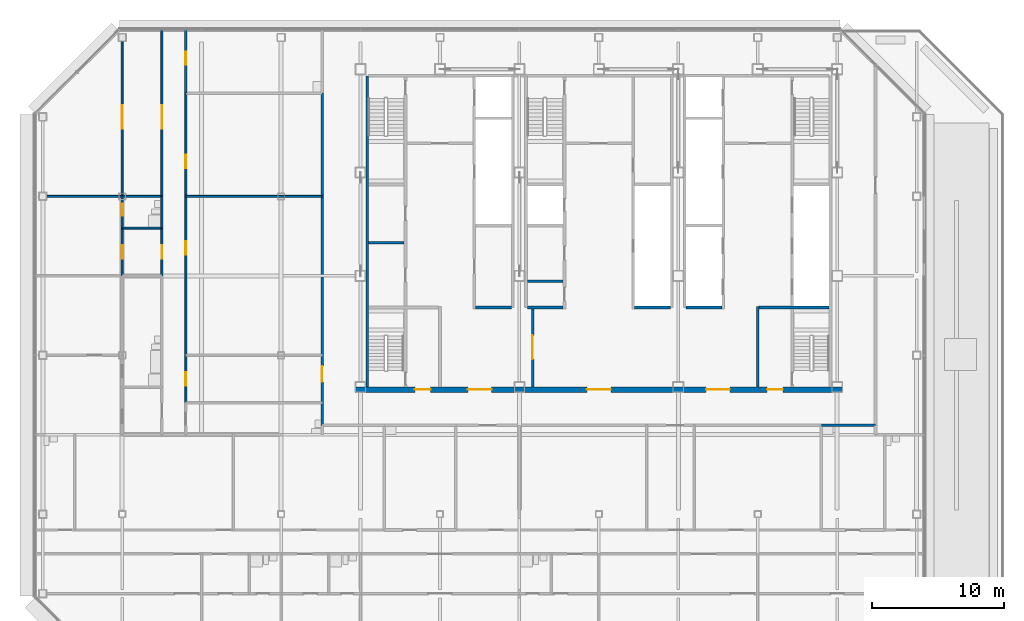
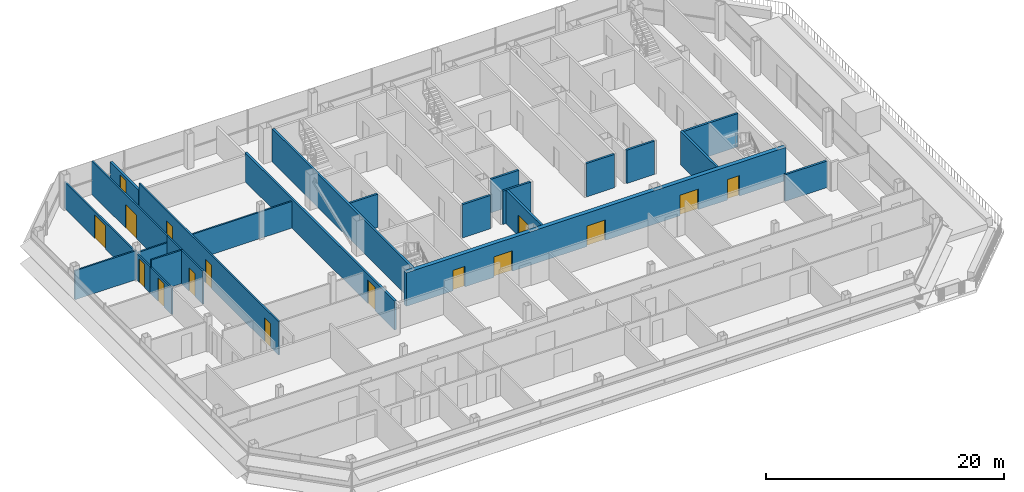
# One storey, part 20 of 28: 25 walls, 16 doors, 16 openings.
"""IFC4 building model written with IfcOpenShell, lengths in metres."""

from ifc_helpers import new_model, si_unit, direction, frame, frame_2d, origin, place, context, subcontext, project, spatial, rectangle, extrude, material, layer, layer_set, type_object, element, fill, save


model = new_model("IFC4")

# Units and contexts
model_context = context("Model", 3, precision=1e-05, world=origin(), true_north=direction((0.0, 1.0)))
body_context = subcontext(model_context, "Body", "Model", "MODEL_VIEW")
ifc_project = project(units=[si_unit("LENGTHUNIT", "METRE"), si_unit("AREAUNIT", "SQUARE_METRE"), si_unit("VOLUMEUNIT", "CUBIC_METRE"), si_unit("PLANEANGLEUNIT", "RADIAN"), si_unit("MASSUNIT", "GRAM", prefix="KILO")], contexts=[model_context])

# Site, building, storey
site_placement = place(None, origin())
site = spatial("IfcSite", under=ifc_project, at=site_placement, CompositionType="ELEMENT")
building_placement = place(site_placement, origin())
building = spatial("IfcBuilding", under=site, at=building_placement, Name="Sorahane Residences", CompositionType="ELEMENT")
storey_placement = place(building_placement, frame((0.0, 0.0, 290.800048828125)))
storey = spatial("IfcBuildingStorey", under=building, at=storey_placement, Name="L68", CompositionType="ELEMENT", Elevation=290.800048828125)

# Wall
ifc_material_1 = material(Name="Concrete C30", Category="concrete")
ifc_layer_1 = layer(ifc_material_1, 0.199951171875)
ifc_layer_set_1 = layer_set([ifc_layer_1], Name="Core face wall 200 EI 180")
wall_type_1 = type_object("IfcWallType", Name="Core face wall 200 EI 180", PredefinedType="SOLIDWALL", material=ifc_layer_set_1)
wall_1_placement = place(storey_placement, frame((6.5, 21.60009765625, 0.0), z_axis=(0.0, 0.0, 1.0), x_axis=(0.0, 1.0, 0.0)))
element("IfcWall", 1, at=wall_1_placement, inside=storey, type_object=wall_type_1, Name="L68 core face wall", PredefinedType="SOLIDWALL", context=body_context, shape_type="SweptSolid", body=[
    extrude(rectangle(XDim=23.5, YDim=0.199951171875, at=frame_2d((11.75, 0.0))), origin(), (0.0, 0.0, 1.0), 3.419921875),
])

# Wall, opening, door
ifc_material_2 = material(Name="Concrete blockwork C20 wall", Category="masonry")
ifc_layer_2 = layer(ifc_material_2, 0.199951171875)
ifc_layer_set_2 = layer_set([ifc_layer_2], Name="Corridor wall 200 EI 120")
wall_type_2 = type_object("IfcWallType", Name="Corridor wall 200 EI 120", PredefinedType="SOLIDWALL", material=ifc_layer_set_2)
wall_2_placement = place(storey_placement, frame((3.10009765625, 18.699951171875, 0.0), z_axis=(0.0, 0.0, 1.0), x_axis=(0.0, 1.0, 0.0)))
wall_2 = element("IfcWall", 2, at=wall_2_placement, inside=storey, type_object=wall_type_2, Name="L68 corridor wall", PredefinedType="SOLIDWALL", context=body_context, shape_type="SweptSolid", body=[
    extrude(rectangle(XDim=25.10009765625, YDim=0.199951171875, at=frame_2d((12.550048828125, 0.0))), origin(), (0.0, 0.0, 1.0), 2.969970703125),
])
opening_1_placement = place(wall_2_placement, frame((3.280029296875, 0.0, 0.0)))
opening_1 = element("IfcOpeningElement", 3, at=opening_1_placement, cuts=wall_2, Name="Opening L68-44", PredefinedType="OPENING", context=body_context, shape_type="SweptSolid", body=[
    extrude(rectangle(XDim=1.199951171875, YDim=2.39990234375, at=frame_2d((0.60009765625, 1.199951171875))), frame((0.0, 0.10986328125, 0.0), z_axis=(0.0, -1.0, 0.0), x_axis=(1.0, 0.0, 0.0)), (0.0, 0.0, 1.0), 0.219970703125),
])
ifc_material_3 = material(Name="Timber veneered fire door", Category="wood")
door_type_1 = type_object("IfcDoorType", Name="Flat entrance door 1200x2400 FD60", OperationType="NOTDEFINED", PredefinedType="DOOR", material=ifc_material_3)
door_1_placement = place(opening_1_placement, origin())
door_1 = element("IfcDoor", 4, at=door_1_placement, inside=storey, type_object=door_type_1, Name="Flat entrance door L68-44", OperationType="SINGLE_SWING_RIGHT", OverallHeight=2.39990234375, OverallWidth=1.199951171875, PredefinedType="DOOR", context=body_context, shape_type="SweptSolid", body=[
    extrude(rectangle(XDim=1.199951171875, YDim=2.39990234375, at=frame_2d((0.60009765625, 1.199951171875))), frame((0.0, 0.02490234375, 0.0), z_axis=(0.0, -1.0, 0.0), x_axis=(1.0, 0.0, 0.0)), (0.0, 0.0, 1.0), 0.050048828125),
])
fill(opening_1, door_1)

# Wall
ifc_material_4 = material(Name="Concrete C30", Category="concrete")
ifc_layer_3 = layer(ifc_material_4, 0.199951171875)
ifc_layer_set_3 = layer_set([ifc_layer_3], Name="Front room wall 200 EI 120")
wall_type_3 = type_object("IfcWallType", Name="Front room wall 200 EI 120", PredefinedType="PARTITIONING", material=ifc_layer_set_3)
wall_3_placement = place(storey_placement, frame((36.0, 21.60009765625, 0.0), z_axis=(0.0, 0.0, 1.0), x_axis=(0.0, 1.0, 0.0)))
element("IfcWall", 5, at=wall_3_placement, inside=storey, type_object=wall_type_3, Name="L68 front room wall", PredefinedType="PARTITIONING", context=body_context, shape_type="SweptSolid", body=[
    extrude(rectangle(XDim=6.099853515625, YDim=0.199951171875, at=frame_2d((3.0498046875, 0.0))), origin(), (0.0, 0.0, 1.0), 3.419921875),
])

# Wall, opening, door
ifc_material_5 = material(Name="Concrete blockwork C20 wall", Category="masonry")
ifc_layer_4 = layer(ifc_material_5, 0.199951171875)
ifc_layer_set_4 = layer_set([ifc_layer_4], Name="Kitchen wall 200 EI 180")
wall_type_4 = type_object("IfcWallType", Name="Kitchen wall 200 EI 180", PredefinedType="SOLIDWALL", material=ifc_layer_set_4)
wall_4_placement = place(storey_placement, frame((-7.199951171875, 43.800048828125, 0.0), z_axis=(0.0, 0.0, 1.0), x_axis=(0.0, 1.0, 0.0)))
wall_4 = element("IfcWall", 6, at=wall_4_placement, inside=storey, type_object=wall_type_4, Name="L68 kitchen wall", PredefinedType="SOLIDWALL", context=body_context, shape_type="SweptSolid", body=[
    extrude(rectangle(XDim=4.800048828125, YDim=0.199951171875, at=frame_2d((2.39990234375, 0.0))), origin(), (0.0, 0.0, 1.0), 2.719970703125),
])
opening_2_placement = place(wall_4_placement, frame((2.139892578125, 0.0, 0.0)))
opening_2 = element("IfcOpeningElement", 7, at=opening_2_placement, cuts=wall_4, Name="Opening L68-32", PredefinedType="OPENING", context=body_context, shape_type="SweptSolid", body=[
    extrude(rectangle(XDim=1.0, YDim=2.39990234375, at=frame_2d((0.5, 1.199951171875))), frame((0.0, 0.10986328125, 0.0), z_axis=(0.0, -1.0, 0.0), x_axis=(1.0, 0.0, 0.0)), (0.0, 0.0, 1.0), 0.219970703125),
])
ifc_material_6 = material(Name="Steel", Category="steel")
door_type_2 = type_object("IfcDoorType", Name="Kitchen door 1000x2400 FD120", OperationType="NOTDEFINED", PredefinedType="DOOR", material=ifc_material_6)
door_2_placement = place(opening_2_placement, frame((1.0, 0.0, 0.0), z_axis=(0.0, 0.0, 1.0), x_axis=(-1.0, 0.0, 0.0)))
door_2 = element("IfcDoor", 8, at=door_2_placement, inside=storey, type_object=door_type_2, Name="Kitchen door L68-32", OperationType="SINGLE_SWING_LEFT", OverallHeight=2.39990234375, OverallWidth=1.0, PredefinedType="DOOR", context=body_context, shape_type="SweptSolid", body=[
    extrude(rectangle(XDim=1.0, YDim=2.39990234375, at=frame_2d((0.5, 1.199951171875))), frame((0.0, 0.02490234375, 0.0), z_axis=(0.0, -1.0, 0.0), x_axis=(1.0, 0.0, 0.0)), (0.0, 0.0, 1.0), 0.050048828125),
])
fill(opening_2, door_2)

# Walls
wall_5_placement = place(storey_placement, frame((40.800048828125, 18.699951171875, 0.0), z_axis=(0.0, 0.0, 1.0), x_axis=(1.0, 0.0, 0.0)))
element("IfcWall", 9, at=wall_5_placement, inside=storey, type_object=wall_type_4, Name="L68 kitchen wall", PredefinedType="SOLIDWALL", context=body_context, shape_type="SweptSolid", body=[
    extrude(rectangle(XDim=4.099853515625, YDim=0.199951171875, at=frame_2d((2.0498046875, 0.0))), origin(), (0.0, 0.0, 1.0), 2.719970703125),
])
ifc_material_7 = material(Name="Concrete C30", Category="concrete")
ifc_layer_5 = layer(ifc_material_7, 0.199951171875)
ifc_layer_set_5 = layer_set([ifc_layer_5], Name="Lift shaft wall 200 EI 120")
wall_type_5 = type_object("IfcWallType", Name="Lift shaft wall 200 EI 120", PredefinedType="SOLIDWALL", material=ifc_layer_set_5)
wall_6_placement = place(storey_placement, frame((30.60009765625, 27.60009765625, 0.0), z_axis=(0.0, 0.0, 1.0), x_axis=(1.0, 0.0, 0.0)))
element("IfcWall", 10, at=wall_6_placement, inside=storey, type_object=wall_type_5, Name="L68 lift shaft wall", PredefinedType="SOLIDWALL", context=body_context, shape_type="SweptSolid", body=[
    extrude(rectangle(XDim=2.699951171875, YDim=0.199951171875, at=frame_2d((1.35009765625, 0.0))), origin(), (0.0, 0.0, 1.0), 3.419921875),
])

# Wall, opening, door
ifc_material_8 = material(Name="Gypsum board partition on steel studs", Category="steel")
ifc_layer_6 = layer(ifc_material_8, 0.14990234375)
ifc_layer_set_6 = layer_set([ifc_layer_6], Name="Partition 150 EI 90")
wall_type_6 = type_object("IfcWallType", Name="Partition 150 EI 90", PredefinedType="PARTITIONING", material=ifc_layer_set_6)
wall_7_placement = place(storey_placement, frame((-12.0, 30.0, 0.0), z_axis=(0.0, 0.0, 1.0), x_axis=(0.0, 1.0, 0.0)))
wall_7 = element("IfcWall", 11, at=wall_7_placement, inside=storey, type_object=wall_type_6, Name="L68 partition", PredefinedType="PARTITIONING", context=body_context, shape_type="SweptSolid", body=[
    extrude(rectangle(XDim=3.60009765625, YDim=0.14990234375, at=frame_2d((1.800048828125, 0.0))), origin(), (0.0, 0.0, 1.0), 2.719970703125),
])
opening_3_placement = place(wall_7_placement, frame((1.300048828125, 0.0, 0.0)))
opening_3 = element("IfcOpeningElement", 12, at=opening_3_placement, cuts=wall_7, Name="Opening L68-39", PredefinedType="OPENING", context=body_context, shape_type="SweptSolid", body=[
    extrude(rectangle(XDim=1.0, YDim=2.39990234375, at=frame_2d((0.5, 1.199951171875))), frame((0.0, 0.0849609375, 0.0), z_axis=(0.0, -1.0, 0.0), x_axis=(1.0, 0.0, 0.0)), (0.0, 0.0, 1.0), 0.169921875),
])
ifc_material_9 = material(Name="Timber veneered fire door", Category="wood")
door_type_3 = type_object("IfcDoorType", Name="Room door 1000x2400 FD30", OperationType="NOTDEFINED", PredefinedType="DOOR", material=ifc_material_9)
door_3_placement = place(opening_3_placement, origin())
door_3 = element("IfcDoor", 13, at=door_3_placement, inside=storey, type_object=door_type_3, Name="Room door L68-39", OperationType="SINGLE_SWING_LEFT", OverallHeight=2.39990234375, OverallWidth=1.0, PredefinedType="DOOR", context=body_context, shape_type="SweptSolid", body=[
    extrude(rectangle(XDim=1.0, YDim=2.39990234375, at=frame_2d((0.5, 1.199951171875))), frame((0.0, 0.02490234375, 0.0), z_axis=(0.0, -1.0, 0.0), x_axis=(1.0, 0.0, 0.0)), (0.0, 0.0, 1.0), 0.050048828125),
])
fill(opening_3, door_3)

wall_8_placement = place(storey_placement, frame((-12.0, 36.0, 0.0), z_axis=(0.0, 0.0, 1.0), x_axis=(0.0, 1.0, 0.0)))
wall_8 = element("IfcWall", 14, at=wall_8_placement, inside=storey, type_object=wall_type_6, Name="L68 partition", PredefinedType="PARTITIONING", context=body_context, shape_type="SweptSolid", body=[
    extrude(rectangle(XDim=12.0, YDim=0.14990234375, at=frame_2d((6.0, 0.0))), origin(), (0.0, 0.0, 1.0), 2.719970703125),
])
opening_4_placement = place(wall_8_placement, frame((5.10009765625, 0.0, 0.0)))
opening_4 = element("IfcOpeningElement", 15, at=opening_4_placement, cuts=wall_8, Name="Opening L68-41", PredefinedType="OPENING", context=body_context, shape_type="SweptSolid", body=[
    extrude(rectangle(XDim=1.800048828125, YDim=2.39990234375, at=frame_2d((0.89990234375, 1.199951171875))), frame((0.0, 0.0849609375, 0.0), z_axis=(0.0, -1.0, 0.0), x_axis=(1.0, 0.0, 0.0)), (0.0, 0.0, 1.0), 0.169921875),
])
ifc_material_10 = material(Name="Timber veneered fire door", Category="wood")
door_type_4 = type_object("IfcDoorType", Name="Double door 1800x2400 FD30", OperationType="NOTDEFINED", PredefinedType="DOOR", material=ifc_material_10)
door_4_placement = place(opening_4_placement, origin())
door_4 = element("IfcDoor", 16, at=door_4_placement, inside=storey, type_object=door_type_4, Name="Double door L68-41", OperationType="SINGLE_SWING_RIGHT", OverallHeight=2.39990234375, OverallWidth=1.800048828125, PredefinedType="DOOR", context=body_context, shape_type="SweptSolid", body=[
    extrude(rectangle(XDim=1.800048828125, YDim=2.39990234375, at=frame_2d((0.89990234375, 1.199951171875))), frame((0.0, 0.02490234375, 0.0), z_axis=(0.0, -1.0, 0.0), x_axis=(1.0, 0.0, 0.0)), (0.0, 0.0, 1.0), 0.050048828125),
])
fill(opening_4, door_4)

# Wall, openings, doors
wall_9_placement = place(storey_placement, frame((-7.199951171875, 20.39990234375, 0.0), z_axis=(0.0, 0.0, 1.0), x_axis=(0.0, 1.0, 0.0)))
wall_9 = element("IfcWall", 17, at=wall_9_placement, inside=storey, type_object=wall_type_6, Name="L68 partition", PredefinedType="PARTITIONING", context=body_context, shape_type="SweptSolid", body=[
    extrude(rectangle(XDim=23.400146484375, YDim=0.14990234375, at=frame_2d((11.7001953125, 0.0))), origin(), (0.0, 0.0, 1.0), 3.419921875),
])
opening_5_placement = place(wall_9_placement, frame((1.300048828125, 0.0, 0.0)))
opening_5 = element("IfcOpeningElement", 18, at=opening_5_placement, cuts=wall_9, Name="Opening L68-28", PredefinedType="OPENING", context=body_context, shape_type="SweptSolid", body=[
    extrude(rectangle(XDim=1.0, YDim=2.39990234375, at=frame_2d((0.5, 1.199951171875))), frame((0.0, 0.0849609375, 0.0), z_axis=(0.0, -1.0, 0.0), x_axis=(1.0, 0.0, 0.0)), (0.0, 0.0, 1.0), 0.169921875),
])
opening_6_placement = place(wall_9_placement, frame((11.199951171875, 0.0, 0.0)))
opening_6 = element("IfcOpeningElement", 19, at=opening_6_placement, cuts=wall_9, Name="Opening L68-30", PredefinedType="OPENING", context=body_context, shape_type="SweptSolid", body=[
    extrude(rectangle(XDim=1.0, YDim=2.39990234375, at=frame_2d((0.5, 1.199951171875))), frame((0.0, 0.0849609375, 0.0), z_axis=(0.0, -1.0, 0.0), x_axis=(1.0, 0.0, 0.0)), (0.0, 0.0, 1.0), 0.169921875),
])
opening_7_placement = place(wall_9_placement, frame((17.739990234375, 0.0, 0.0)))
opening_7 = element("IfcOpeningElement", 20, at=opening_7_placement, cuts=wall_9, Name="Opening L68-31", PredefinedType="OPENING", context=body_context, shape_type="SweptSolid", body=[
    extrude(rectangle(XDim=1.0, YDim=2.39990234375, at=frame_2d((0.5, 1.199951171875))), frame((0.0, 0.0849609375, 0.0), z_axis=(0.0, -1.0, 0.0), x_axis=(1.0, 0.0, 0.0)), (0.0, 0.0, 1.0), 0.169921875),
])
door_5_placement = place(opening_5_placement, origin())
door_5 = element("IfcDoor", 21, at=door_5_placement, inside=storey, type_object=door_type_3, Name="Room door L68-28", OperationType="SINGLE_SWING_RIGHT", OverallHeight=2.39990234375, OverallWidth=1.0, PredefinedType="DOOR", context=body_context, shape_type="SweptSolid", body=[
    extrude(rectangle(XDim=1.0, YDim=2.39990234375, at=frame_2d((0.5, 1.199951171875))), frame((0.0, 0.02490234375, 0.0), z_axis=(0.0, -1.0, 0.0), x_axis=(1.0, 0.0, 0.0)), (0.0, 0.0, 1.0), 0.050048828125),
])
fill(opening_5, door_5)
door_6_placement = place(opening_6_placement, frame((1.0, 0.0, 0.0), z_axis=(0.0, 0.0, 1.0), x_axis=(-1.0, 0.0, 0.0)))
door_6 = element("IfcDoor", 22, at=door_6_placement, inside=storey, type_object=door_type_3, Name="Room door L68-30", OperationType="SINGLE_SWING_RIGHT", OverallHeight=2.39990234375, OverallWidth=1.0, PredefinedType="DOOR", context=body_context, shape_type="SweptSolid", body=[
    extrude(rectangle(XDim=1.0, YDim=2.39990234375, at=frame_2d((0.5, 1.199951171875))), frame((0.0, 0.02490234375, 0.0), z_axis=(0.0, -1.0, 0.0), x_axis=(1.0, 0.0, 0.0)), (0.0, 0.0, 1.0), 0.050048828125),
])
fill(opening_6, door_6)
door_7_placement = place(opening_7_placement, frame((1.0, 0.0, 0.0), z_axis=(0.0, 0.0, 1.0), x_axis=(-1.0, 0.0, 0.0)))
door_7 = element("IfcDoor", 23, at=door_7_placement, inside=storey, type_object=door_type_3, Name="Room door L68-31", OperationType="SINGLE_SWING_LEFT", OverallHeight=2.39990234375, OverallWidth=1.0, PredefinedType="DOOR", context=body_context, shape_type="SweptSolid", body=[
    extrude(rectangle(XDim=1.0, YDim=2.39990234375, at=frame_2d((0.5, 1.199951171875))), frame((0.0, 0.02490234375, 0.0), z_axis=(0.0, -1.0, 0.0), x_axis=(1.0, 0.0, 0.0)), (0.0, 0.0, 1.0), 0.050048828125),
])
fill(opening_7, door_7)

# Wall, opening, door
wall_10_placement = place(storey_placement, frame((-9.0, 30.0, 0.0), z_axis=(0.0, 0.0, 1.0), x_axis=(0.0, 1.0, 0.0)))
wall_10 = element("IfcWall", 24, at=wall_10_placement, inside=storey, type_object=wall_type_6, Name="L68 partition", PredefinedType="PARTITIONING", context=body_context, shape_type="SweptSolid", body=[
    extrude(rectangle(XDim=3.60009765625, YDim=0.14990234375, at=frame_2d((1.800048828125, 0.0))), origin(), (0.0, 0.0, 1.0), 3.419921875),
])
opening_8_placement = place(wall_10_placement, frame((1.300048828125, 0.0, 0.0)))
opening_8 = element("IfcOpeningElement", 25, at=opening_8_placement, cuts=wall_10, Name="Opening L68-34", PredefinedType="OPENING", context=body_context, shape_type="SweptSolid", body=[
    extrude(rectangle(XDim=1.0, YDim=2.39990234375, at=frame_2d((0.5, 1.199951171875))), frame((0.0, 0.0849609375, 0.0), z_axis=(0.0, -1.0, 0.0), x_axis=(1.0, 0.0, 0.0)), (0.0, 0.0, 1.0), 0.169921875),
])
door_8_placement = place(opening_8_placement, origin())
door_8 = element("IfcDoor", 26, at=door_8_placement, inside=storey, type_object=door_type_3, Name="Room door L68-34", OperationType="SINGLE_SWING_LEFT", OverallHeight=2.39990234375, OverallWidth=1.0, PredefinedType="DOOR", context=body_context, shape_type="SweptSolid", body=[
    extrude(rectangle(XDim=1.0, YDim=2.39990234375, at=frame_2d((0.5, 1.199951171875))), frame((0.0, 0.02490234375, 0.0), z_axis=(0.0, -1.0, 0.0), x_axis=(1.0, 0.0, 0.0)), (0.0, 0.0, 1.0), 0.050048828125),
])
fill(opening_8, door_8)

wall_11_placement = place(storey_placement, frame((-9.0, 36.0, 0.0), z_axis=(0.0, 0.0, 1.0), x_axis=(0.0, 1.0, 0.0)))
wall_11 = element("IfcWall", 27, at=wall_11_placement, inside=storey, type_object=wall_type_6, Name="L68 partition", PredefinedType="PARTITIONING", context=body_context, shape_type="SweptSolid", body=[
    extrude(rectangle(XDim=12.60009765625, YDim=0.14990234375, at=frame_2d((6.300048828125, 0.0))), origin(), (0.0, 0.0, 1.0), 3.419921875),
])
opening_9_placement = place(wall_11_placement, frame((5.10009765625, 0.0, 0.0)))
opening_9 = element("IfcOpeningElement", 28, at=opening_9_placement, cuts=wall_11, Name="Opening L68-35", PredefinedType="OPENING", context=body_context, shape_type="SweptSolid", body=[
    extrude(rectangle(XDim=1.800048828125, YDim=2.39990234375, at=frame_2d((0.89990234375, 1.199951171875))), frame((0.0, 0.0849609375, 0.0), z_axis=(0.0, -1.0, 0.0), x_axis=(1.0, 0.0, 0.0)), (0.0, 0.0, 1.0), 0.169921875),
])
door_9_placement = place(opening_9_placement, origin())
door_9 = element("IfcDoor", 29, at=door_9_placement, inside=storey, type_object=door_type_4, Name="Double door L68-35", OperationType="SINGLE_SWING_RIGHT", OverallHeight=2.39990234375, OverallWidth=1.800048828125, PredefinedType="DOOR", context=body_context, shape_type="SweptSolid", body=[
    extrude(rectangle(XDim=1.800048828125, YDim=2.39990234375, at=frame_2d((0.89990234375, 1.199951171875))), frame((0.0, 0.02490234375, 0.0), z_axis=(0.0, -1.0, 0.0), x_axis=(1.0, 0.0, 0.0)), (0.0, 0.0, 1.0), 0.050048828125),
])
fill(opening_9, door_9)

# Walls
wall_12_placement = place(storey_placement, frame((-18.0, 36.0, 0.0), z_axis=(0.0, 0.0, 1.0), x_axis=(1.0, 0.0, 0.0)))
element("IfcWall", 30, at=wall_12_placement, inside=storey, type_object=wall_type_6, Name="L68 partition", PredefinedType="PARTITIONING", context=body_context, shape_type="SweptSolid", body=[
    extrude(rectangle(XDim=6.0, YDim=0.14990234375, at=frame_2d((3.0, 0.0))), origin(), (0.0, 0.0, 1.0), 2.969970703125),
])
wall_13_placement = place(storey_placement, frame((-7.199951171875, 36.0, 0.0), z_axis=(0.0, 0.0, 1.0), x_axis=(1.0, 0.0, 0.0)))
element("IfcWall", 31, at=wall_13_placement, inside=storey, type_object=wall_type_6, Name="L68 partition", PredefinedType="PARTITIONING", context=body_context, shape_type="SweptSolid", body=[
    extrude(rectangle(XDim=10.300048828125, YDim=0.14990234375, at=frame_2d((5.14990234375, 0.0))), origin(), (0.0, 0.0, 1.0), 2.719970703125),
])
ifc_material_11 = material(Name="Concrete C30", Category="concrete")
ifc_layer_7 = layer(ifc_material_11, 0.199951171875)
ifc_layer_set_7 = layer_set([ifc_layer_7], Name="Riser shaft wall 200 EI 120")
wall_type_7 = type_object("IfcWallType", Name="Riser shaft wall 200 EI 120", PredefinedType="SOLIDWALL", material=ifc_layer_set_7)
wall_14_placement = place(storey_placement, frame((26.699951171875, 27.60009765625, 0.0), z_axis=(0.0, 0.0, 1.0), x_axis=(1.0, 0.0, 0.0)))
element("IfcWall", 32, at=wall_14_placement, inside=storey, type_object=wall_type_7, Name="L68 riser wall", PredefinedType="SOLIDWALL", context=body_context, shape_type="SweptSolid", body=[
    extrude(rectangle(XDim=2.699951171875, YDim=0.199951171875, at=frame_2d((1.35009765625, 0.0))), origin(), (0.0, 0.0, 1.0), 3.419921875),
])

# Wall, opening, door
ifc_material_12 = material(Name="Concrete C30", Category="concrete")
ifc_layer_8 = layer(ifc_material_12, 0.199951171875)
ifc_layer_set_8 = layer_set([ifc_layer_8], Name="Service room partition 200 EI 60")
wall_type_8 = type_object("IfcWallType", Name="Service room partition 200 EI 60", PredefinedType="PARTITIONING", material=ifc_layer_set_8)
wall_15_placement = place(storey_placement, frame((19.0, 21.60009765625, 0.0), z_axis=(0.0, 0.0, 1.0), x_axis=(0.0, 1.0, 0.0)))
wall_15 = element("IfcWall", 33, at=wall_15_placement, inside=storey, type_object=wall_type_8, Name="L68 service room wall", PredefinedType="PARTITIONING", context=body_context, shape_type="SweptSolid", body=[
    extrude(rectangle(XDim=6.0, YDim=0.199951171875, at=frame_2d((3.0, 0.0))), origin(), (0.0, 0.0, 1.0), 3.419921875),
])
opening_10_placement = place(wall_15_placement, frame((2.10009765625, 0.0, 0.0)))
opening_10 = element("IfcOpeningElement", 34, at=opening_10_placement, cuts=wall_15, Name="Opening L68-C02", PredefinedType="OPENING", context=body_context, shape_type="SweptSolid", body=[
    extrude(rectangle(XDim=1.800048828125, YDim=2.10009765625, at=frame_2d((0.89990234375, 1.050048828125))), frame((0.0, 0.10986328125, 0.0), z_axis=(0.0, -1.0, 0.0), x_axis=(1.0, 0.0, 0.0)), (0.0, 0.0, 1.0), 0.219970703125),
])
ifc_material_13 = material(Name="Steel", Category="steel")
door_type_5 = type_object("IfcDoorType", Name="Waiting hall door 1800x2100 FD60", OperationType="NOTDEFINED", PredefinedType="DOOR", material=ifc_material_13)
door_10_placement = place(opening_10_placement, origin())
door_10 = element("IfcDoor", 35, at=door_10_placement, inside=storey, type_object=door_type_5, Name="Waiting hall door Residents' waiting hall west L68", OperationType="SINGLE_SWING_LEFT", OverallHeight=2.10009765625, OverallWidth=1.800048828125, PredefinedType="DOOR", context=body_context, shape_type="SweptSolid", body=[
    extrude(rectangle(XDim=1.800048828125, YDim=2.10009765625, at=frame_2d((0.89990234375, 1.050048828125))), frame((0.0, 0.02490234375, 0.0), z_axis=(0.0, -1.0, 0.0), x_axis=(1.0, 0.0, 0.0)), (0.0, 0.0, 1.0), 0.050048828125),
])
fill(opening_10, door_10)

# Walls
for number, where, z_axis, x_axis, name in (
    (36, (14.699951171875, 27.60009765625, 0.0), (0.0, 0.0, 1.0), (1.0, 0.0, 0.0), "L68 service room wall"),
    (37, (18.60009765625, 27.60009765625, 0.0), (0.0, 0.0, 1.0), (1.0, 0.0, 0.0), "L68 service room wall"),
    (38, (18.60009765625, 29.60009765625, 0.0), (0.0, 0.0, 1.0), (1.0, 0.0, 0.0), "L68 service room wall"),
    (39, (6.60009765625, 32.5, 0.0), (0.0, 0.0, 1.0), (1.0, 0.0, 0.0), "L68 service room wall"),
):
    element("IfcWall", number, at=place(storey_placement, frame(where, z_axis=z_axis, x_axis=x_axis)), inside=storey, type_object=wall_type_8, Name=name, PredefinedType="PARTITIONING", context=body_context, shape_type="SweptSolid", body=[
        extrude(rectangle(XDim=2.699951171875, YDim=0.199951171875, at=frame_2d((1.35009765625, 0.0))), origin(), (0.0, 0.0, 1.0), 3.419921875),
    ])
ifc_material_14 = material(Name="Concrete C30", Category="concrete")
ifc_layer_9 = layer(ifc_material_14, 0.199951171875)
ifc_layer_set_9 = layer_set([ifc_layer_9], Name="Stair enclosure wall 200 EI 120")
wall_type_9 = type_object("IfcWallType", Name="Stair enclosure wall 200 EI 120", PredefinedType="SOLIDWALL", material=ifc_layer_set_9)
wall_16_placement = place(storey_placement, frame((36.10009765625, 27.60009765625, 0.0), z_axis=(0.0, 0.0, 1.0), x_axis=(1.0, 0.0, 0.0)))
element("IfcWall", 40, at=wall_16_placement, inside=storey, type_object=wall_type_9, Name="L68 stair enclosure wall", PredefinedType="SOLIDWALL", context=body_context, shape_type="SweptSolid", body=[
    extrude(rectangle(XDim=5.2998046875, YDim=0.199951171875, at=frame_2d((2.64990234375, 0.0))), origin(), (0.0, 0.0, 1.0), 3.419921875),
])

# Wall, openings, doors
ifc_material_15 = material(Name="Concrete C30", Category="concrete")
ifc_layer_10 = layer(ifc_material_15, 0.39990234375)
ifc_layer_set_10 = layer_set([ifc_layer_10], Name="Waiting hall wall 400 EI 120")
wall_type_10 = type_object("IfcWallType", Name="Waiting hall wall 400 EI 120", PredefinedType="SOLIDWALL", material=ifc_layer_set_10)
wall_17_placement = place(storey_placement, frame((5.60009765625, 21.39990234375, 0.0), z_axis=(0.0, 0.0, 1.0), x_axis=(1.0, 0.0, 0.0)))
wall_17 = element("IfcWall", 41, at=wall_17_placement, inside=storey, type_object=wall_type_10, Name="L68 waiting hall wall", PredefinedType="SOLIDWALL", context=body_context, shape_type="SweptSolid", body=[
    extrude(rectangle(XDim=36.7998046875, YDim=0.39990234375, at=frame_2d((18.39990234375, 0.0))), origin(), (0.0, 0.0, 1.0), 3.419921875),
])
opening_11_placement = place(wall_17_placement, frame((8.5, 0.0, 0.0)))
opening_11 = element("IfcOpeningElement", 42, at=opening_11_placement, cuts=wall_17, Name="Opening L68-C01", PredefinedType="OPENING", context=body_context, shape_type="SweptSolid", body=[
    extrude(rectangle(XDim=1.800048828125, YDim=2.10009765625, at=frame_2d((0.89990234375, 1.050048828125))), frame((0.0, 0.2099609375, 0.0), z_axis=(0.0, -1.0, 0.0), x_axis=(1.0, 0.0, 0.0)), (0.0, 0.0, 1.0), 0.419921875),
])
opening_12_placement = place(wall_17_placement, frame((17.5, 0.0, 0.0)))
opening_12 = element("IfcOpeningElement", 43, at=opening_12_placement, cuts=wall_17, Name="Opening L68-C03", PredefinedType="OPENING", context=body_context, shape_type="SweptSolid", body=[
    extrude(rectangle(XDim=1.800048828125, YDim=2.10009765625, at=frame_2d((0.89990234375, 1.050048828125))), frame((0.0, 0.2099609375, 0.0), z_axis=(0.0, -1.0, 0.0), x_axis=(1.0, 0.0, 0.0)), (0.0, 0.0, 1.0), 0.419921875),
])
opening_13_placement = place(wall_17_placement, frame((26.5, 0.0, 0.0)))
opening_13 = element("IfcOpeningElement", 44, at=opening_13_placement, cuts=wall_17, Name="Opening L68-C04", PredefinedType="OPENING", context=body_context, shape_type="SweptSolid", body=[
    extrude(rectangle(XDim=1.800048828125, YDim=2.10009765625, at=frame_2d((0.89990234375, 1.050048828125))), frame((0.0, 0.2099609375, 0.0), z_axis=(0.0, -1.0, 0.0), x_axis=(1.0, 0.0, 0.0)), (0.0, 0.0, 1.0), 0.419921875),
])
opening_14_placement = place(wall_17_placement, frame((4.5, 0.0, 0.0)))
opening_14 = element("IfcOpeningElement", 45, at=opening_14_placement, cuts=wall_17, Name="Opening L68-C05", PredefinedType="OPENING", context=body_context, shape_type="SweptSolid", body=[
    extrude(rectangle(XDim=1.199951171875, YDim=2.10009765625, at=frame_2d((0.60009765625, 1.050048828125))), frame((0.0, 0.2099609375, 0.0), z_axis=(0.0, -1.0, 0.0), x_axis=(1.0, 0.0, 0.0)), (0.0, 0.0, 1.0), 0.419921875),
])
opening_15_placement = place(wall_17_placement, frame((31.10009765625, 0.0, 0.0)))
opening_15 = element("IfcOpeningElement", 46, at=opening_15_placement, cuts=wall_17, Name="Opening L68-C06", PredefinedType="OPENING", context=body_context, shape_type="SweptSolid", body=[
    extrude(rectangle(XDim=1.199951171875, YDim=2.10009765625, at=frame_2d((0.60009765625, 1.050048828125))), frame((0.0, 0.2099609375, 0.0), z_axis=(0.0, -1.0, 0.0), x_axis=(1.0, 0.0, 0.0)), (0.0, 0.0, 1.0), 0.419921875),
])
ifc_material_16 = material(Name="Steel", Category="steel")
door_type_6 = type_object("IfcDoorType", Name="Stair front room door 1200x2100 FD120", OperationType="NOTDEFINED", PredefinedType="DOOR", material=ifc_material_16)
door_11_placement = place(opening_14_placement, frame((1.199951171875, 0.0, 0.0), z_axis=(0.0, 0.0, 1.0), x_axis=(-1.0, 0.0, 0.0)))
door_11 = element("IfcDoor", 47, at=door_11_placement, inside=storey, type_object=door_type_6, Name="Stair front room door Stair S4 front room L68", OperationType="SINGLE_SWING_LEFT", OverallHeight=2.10009765625, OverallWidth=1.199951171875, PredefinedType="DOOR", context=body_context, shape_type="SweptSolid", body=[
    extrude(rectangle(XDim=1.199951171875, YDim=2.10009765625, at=frame_2d((0.60009765625, 1.050048828125))), frame((0.0, 0.02490234375, 0.0), z_axis=(0.0, -1.0, 0.0), x_axis=(1.0, 0.0, 0.0)), (0.0, 0.0, 1.0), 0.050048828125),
])
fill(opening_14, door_11)
door_12_placement = place(opening_15_placement, frame((1.199951171875, 0.0, 0.0), z_axis=(0.0, 0.0, 1.0), x_axis=(-1.0, 0.0, 0.0)))
door_12 = element("IfcDoor", 48, at=door_12_placement, inside=storey, type_object=door_type_6, Name="Stair front room door Stair S5 front room L68", OperationType="SINGLE_SWING_LEFT", OverallHeight=2.10009765625, OverallWidth=1.199951171875, PredefinedType="DOOR", context=body_context, shape_type="SweptSolid", body=[
    extrude(rectangle(XDim=1.199951171875, YDim=2.10009765625, at=frame_2d((0.60009765625, 1.050048828125))), frame((0.0, 0.02490234375, 0.0), z_axis=(0.0, -1.0, 0.0), x_axis=(1.0, 0.0, 0.0)), (0.0, 0.0, 1.0), 0.050048828125),
])
fill(opening_15, door_12)
door_13_placement = place(opening_11_placement, frame((1.800048828125, 0.0, 0.0), z_axis=(0.0, 0.0, 1.0), x_axis=(-1.0, 0.0, 0.0)))
door_13 = element("IfcDoor", 49, at=door_13_placement, inside=storey, type_object=door_type_5, Name="Waiting hall door Residents' waiting hall west L68", OperationType="SINGLE_SWING_LEFT", OverallHeight=2.10009765625, OverallWidth=1.800048828125, PredefinedType="DOOR", context=body_context, shape_type="SweptSolid", body=[
    extrude(rectangle(XDim=1.800048828125, YDim=2.10009765625, at=frame_2d((0.89990234375, 1.050048828125))), frame((0.0, 0.02490234375, 0.0), z_axis=(0.0, -1.0, 0.0), x_axis=(1.0, 0.0, 0.0)), (0.0, 0.0, 1.0), 0.050048828125),
])
fill(opening_11, door_13)
door_14_placement = place(opening_12_placement, frame((1.800048828125, 0.0, 0.0), z_axis=(0.0, 0.0, 1.0), x_axis=(-1.0, 0.0, 0.0)))
door_14 = element("IfcDoor", 50, at=door_14_placement, inside=storey, type_object=door_type_5, Name="Waiting hall door Residents' waiting hall east L68", OperationType="SINGLE_SWING_LEFT", OverallHeight=2.10009765625, OverallWidth=1.800048828125, PredefinedType="DOOR", context=body_context, shape_type="SweptSolid", body=[
    extrude(rectangle(XDim=1.800048828125, YDim=2.10009765625, at=frame_2d((0.89990234375, 1.050048828125))), frame((0.0, 0.02490234375, 0.0), z_axis=(0.0, -1.0, 0.0), x_axis=(1.0, 0.0, 0.0)), (0.0, 0.0, 1.0), 0.050048828125),
])
fill(opening_12, door_14)
door_15_placement = place(opening_13_placement, frame((1.800048828125, 0.0, 0.0), z_axis=(0.0, 0.0, 1.0), x_axis=(-1.0, 0.0, 0.0)))
door_15 = element("IfcDoor", 51, at=door_15_placement, inside=storey, type_object=door_type_5, Name="Waiting hall door Residents' waiting hall east L68", OperationType="SINGLE_SWING_LEFT", OverallHeight=2.10009765625, OverallWidth=1.800048828125, PredefinedType="DOOR", context=body_context, shape_type="SweptSolid", body=[
    extrude(rectangle(XDim=1.800048828125, YDim=2.10009765625, at=frame_2d((0.89990234375, 1.050048828125))), frame((0.0, 0.02490234375, 0.0), z_axis=(0.0, -1.0, 0.0), x_axis=(1.0, 0.0, 0.0)), (0.0, 0.0, 1.0), 0.050048828125),
])
fill(opening_13, door_15)

# Wall, opening, door
ifc_material_17 = material(Name="Gypsum board partition on steel studs", Category="steel")
ifc_layer_11 = layer(ifc_material_17, 0.14990234375)
ifc_layer_set_11 = layer_set([ifc_layer_11], Name="Wet wall 150 EI 90")
wall_type_11 = type_object("IfcWallType", Name="Wet wall 150 EI 90", PredefinedType="PARTITIONING", material=ifc_layer_set_11)
wall_18_placement = place(storey_placement, frame((-12.0, 33.60009765625, 0.0), z_axis=(0.0, 0.0, 1.0), x_axis=(0.0, 1.0, 0.0)))
wall_18 = element("IfcWall", 52, at=wall_18_placement, inside=storey, type_object=wall_type_11, Name="L68 wet wall", PredefinedType="PARTITIONING", context=body_context, shape_type="SweptSolid", body=[
    extrude(rectangle(XDim=2.39990234375, YDim=0.14990234375, at=frame_2d((1.199951171875, 0.0))), origin(), (0.0, 0.0, 1.0), 2.719970703125),
])
opening_16_placement = place(wall_18_placement, frame((0.949951171875, 0.0, 0.0)))
opening_16 = element("IfcOpeningElement", 53, at=opening_16_placement, cuts=wall_18, Name="Opening L68-40", PredefinedType="OPENING", context=body_context, shape_type="SweptSolid", body=[
    extrude(rectangle(XDim=0.89990234375, YDim=2.39990234375, at=frame_2d((0.449951171875, 1.199951171875))), frame((0.0, 0.0849609375, 0.0), z_axis=(0.0, -1.0, 0.0), x_axis=(1.0, 0.0, 0.0)), (0.0, 0.0, 1.0), 0.169921875),
])
ifc_material_18 = material(Name="Timber veneered fire door", Category="wood")
door_type_7 = type_object("IfcDoorType", Name="Bathroom door 900x2400 FD30", OperationType="NOTDEFINED", PredefinedType="DOOR", material=ifc_material_18)
door_16_placement = place(opening_16_placement, origin())
door_16 = element("IfcDoor", 54, at=door_16_placement, inside=storey, type_object=door_type_7, Name="Bathroom door L68-40", OperationType="SINGLE_SWING_LEFT", OverallHeight=2.39990234375, OverallWidth=0.89990234375, PredefinedType="DOOR", context=body_context, shape_type="SweptSolid", body=[
    extrude(rectangle(XDim=0.89990234375, YDim=2.39990234375, at=frame_2d((0.449951171875, 1.199951171875))), frame((0.0, 0.02490234375, 0.0), z_axis=(0.0, -1.0, 0.0), x_axis=(1.0, 0.0, 0.0)), (0.0, 0.0, 1.0), 0.050048828125),
])
fill(opening_16, door_16)

# Walls
wall_19_placement = place(storey_placement, frame((-9.0, 33.60009765625, 0.0), z_axis=(0.0, 0.0, 1.0), x_axis=(0.0, 1.0, 0.0)))
element("IfcWall", 55, at=wall_19_placement, inside=storey, type_object=wall_type_11, Name="L68 wet wall", PredefinedType="PARTITIONING", context=body_context, shape_type="SweptSolid", body=[
    extrude(rectangle(XDim=2.39990234375, YDim=0.14990234375, at=frame_2d((1.199951171875, 0.0))), origin(), (0.0, 0.0, 1.0), 3.419921875),
])
wall_20_placement = place(storey_placement, frame((-12.0, 33.60009765625, 0.0), z_axis=(0.0, 0.0, 1.0), x_axis=(1.0, 0.0, 0.0)))
element("IfcWall", 56, at=wall_20_placement, inside=storey, type_object=wall_type_11, Name="L68 wet wall", PredefinedType="PARTITIONING", context=body_context, shape_type="SweptSolid", body=[
    extrude(rectangle(XDim=3.0, YDim=0.14990234375, at=frame_2d((1.5, 0.0))), origin(), (0.0, 0.0, 1.0), 3.419921875),
])
wall_21_placement = place(storey_placement, frame((-12.0, 36.0, 0.0), z_axis=(0.0, 0.0, 1.0), x_axis=(1.0, 0.0, 0.0)))
element("IfcWall", 57, at=wall_21_placement, inside=storey, type_object=wall_type_11, Name="L68 wet wall", PredefinedType="PARTITIONING", context=body_context, shape_type="SweptSolid", body=[
    extrude(rectangle(XDim=3.0, YDim=0.14990234375, at=frame_2d((1.5, 0.0))), origin(), (0.0, 0.0, 1.0), 2.719970703125),
])

save(model, "model.ifc")
